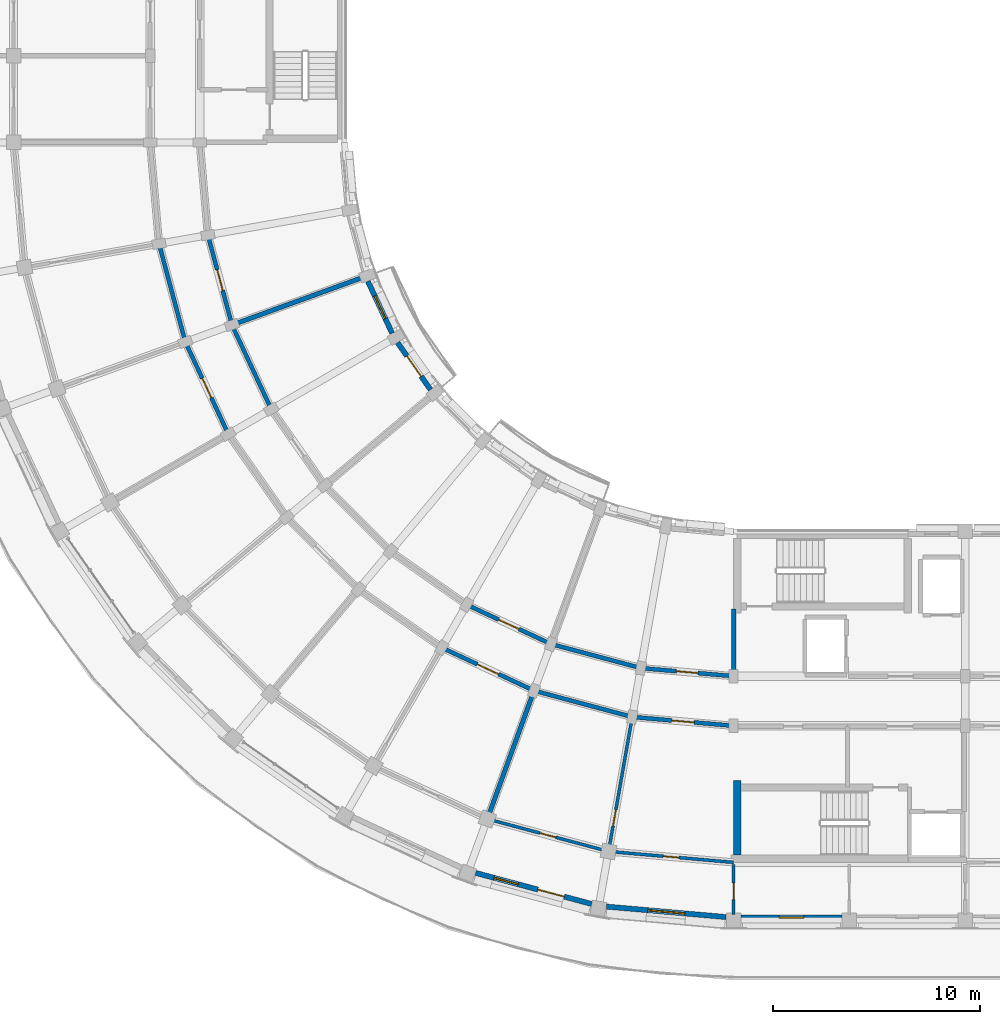
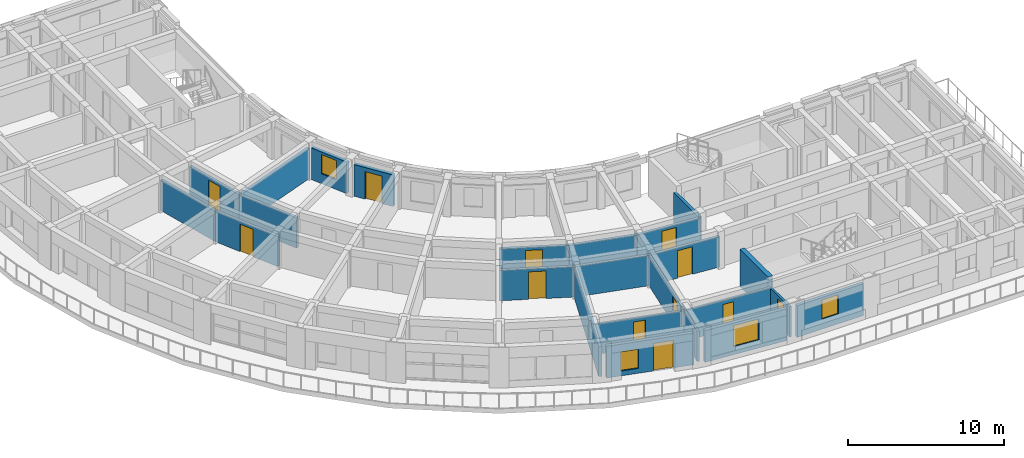
# One storey, part 17 of 54: 23 walls, 12 doors, 4 windows, 16 openings.
"""IFC4 building model written with IfcOpenShell, lengths in metres."""

from ifc_helpers import new_model, si_unit, direction, frame, frame_2d, origin, place, context, subcontext, project, spatial, rectangle, extrude, material, layer, layer_set, type_object, element, fill, save


model = new_model("IFC4")

# Units and contexts
model_context = context("Model", 3, precision=1e-05, world=origin(), true_north=direction((0.0, 1.0)))
body_context = subcontext(model_context, "Body", "Model", "MODEL_VIEW")
ifc_project = project(units=[si_unit("LENGTHUNIT", "METRE"), si_unit("AREAUNIT", "SQUARE_METRE"), si_unit("VOLUMEUNIT", "CUBIC_METRE"), si_unit("PLANEANGLEUNIT", "RADIAN"), si_unit("MASSUNIT", "GRAM", prefix="KILO")], contexts=[model_context])

# Site, building, storey
site_placement = place(None, origin())
site = spatial("IfcSite", under=ifc_project, at=site_placement, CompositionType="ELEMENT")
building_placement = place(site_placement, origin())
building = spatial("IfcBuilding", under=site, at=building_placement, Name="Kiranvali Square Residences", CompositionType="ELEMENT")
storey_placement = place(building_placement, frame((0.0, 0.0, 27.60009765625)))
storey = spatial("IfcBuildingStorey", under=building, at=storey_placement, Name="L08", CompositionType="ELEMENT", Elevation=27.60009765625)

# Wall, opening, door
ifc_material_1 = material(Name="Autoclaved aerated concrete blockwork masonry", Category="masonry")
ifc_layer_1 = layer(ifc_material_1, 0.199951171875)
ifc_layer_set_1 = layer_set([ifc_layer_1], Name="Autoclaved aerated concrete blockwork masonry")
wall_type_1 = type_object("IfcWallType", Name="WL-COR-200", PredefinedType="STANDARD", material=ifc_layer_set_1)
wall_1_placement = place(storey_placement, frame((48.199951171875, 22.39990234375, 0.0), z_axis=(0.0, 0.0, 1.0), x_axis=(-0.996191949488, 0.087187153726, 0.0)))
wall_1 = element("IfcWall", 1, at=wall_1_placement, inside=storey, type_object=wall_type_1, Name="L08 architectural wall WL-L08-C-CCI-0", PredefinedType="STANDARD", context=body_context, shape_type="SweptSolid", body=[
    extrude(rectangle(XDim=4.4970703125, YDim=0.199951171875, at=frame_2d((2.24853515625, 0.0))), origin(), (0.0, 0.0, 1.0), 2.371826171875),
])
opening_1_placement = place(wall_1_placement, frame((1.728515625, 0.0, 0.0)))
opening_1 = element("IfcOpeningElement", 2, at=opening_1_placement, cuts=wall_1, Name="Opening FD-APT-60B", PredefinedType="OPENING", context=body_context, shape_type="SweptSolid", body=[
    extrude(rectangle(XDim=1.0400390625, YDim=2.14990234375, at=frame_2d((0.52001953125, 1.074951171875))), frame((0.0, 0.10986328125, 0.0), z_axis=(0.0, -1.0, 0.0), x_axis=(1.0, 0.0, 0.0)), (0.0, 0.0, 1.0), 0.219970703125),
])
ifc_material_2 = material(Name="Fire-rated acoustic hardwood and mineral-core door assembly", Category="wood")
door_type_1 = type_object("IfcDoorType", Name="DR-APT-1040", OperationType="NOTDEFINED", PredefinedType="DOOR", material=ifc_material_2)
door_1_placement = place(opening_1_placement, origin())
door_1 = element("IfcDoor", 3, at=door_1_placement, inside=storey, type_object=door_type_1, Name="L08 door DR-L08-2241 (DR-APT-1040)", OperationType="SINGLE_SWING_LEFT", OverallHeight=2.14990234375, OverallWidth=1.0400390625, PredefinedType="DOOR", context=body_context, shape_type="SweptSolid", body=[
    extrude(rectangle(XDim=1.0400390625, YDim=2.14990234375, at=frame_2d((0.52001953125, 1.074951171875))), frame((0.0, 0.02490234375, 0.0), z_axis=(0.0, -1.0, 0.0), x_axis=(1.0, 0.0, 0.0)), (0.0, 0.0, 1.0), 0.050048828125),
])
fill(opening_1, door_1)

wall_2_placement = place(storey_placement, frame((48.199951171875, 20.0, 0.0), z_axis=(0.0, 0.0, 1.0), x_axis=(-0.996193663584, 0.087167566415, 0.0)))
wall_2 = element("IfcWall", 4, at=wall_2_placement, inside=storey, type_object=wall_type_1, Name="L08 architectural wall WL-L08-C-CCO-0", PredefinedType="STANDARD", context=body_context, shape_type="SweptSolid", body=[
    extrude(rectangle(XDim=4.91552734375, YDim=0.199951171875, at=frame_2d((2.457763671875, 0.0))), origin(), (0.0, 0.0, 1.0), 2.371826171875),
])
opening_2_placement = place(wall_2_placement, frame((1.917724609375, 0.0, 0.0)))
opening_2 = element("IfcOpeningElement", 5, at=opening_2_placement, cuts=wall_2, Name="Opening FD-APT-60C", PredefinedType="OPENING", context=body_context, shape_type="SweptSolid", body=[
    extrude(rectangle(XDim=1.080078125, YDim=2.14990234375, at=frame_2d((0.5400390625, 1.074951171875))), frame((0.0, 0.10986328125, 0.0), z_axis=(0.0, -1.0, 0.0), x_axis=(1.0, 0.0, 0.0)), (0.0, 0.0, 1.0), 0.219970703125),
])
door_type_2 = type_object("IfcDoorType", Name="DR-APT-1080", OperationType="NOTDEFINED", PredefinedType="DOOR", material=ifc_material_2)
door_2_placement = place(opening_2_placement, frame((1.080078125, 0.0, 0.0), z_axis=(0.0, 0.0, 1.0), x_axis=(-1.0, 0.0, 0.0)))
door_2 = element("IfcDoor", 6, at=door_2_placement, inside=storey, type_object=door_type_2, Name="L08 door DR-L08-2228 (DR-APT-1080)", OperationType="SINGLE_SWING_RIGHT", OverallHeight=2.14990234375, OverallWidth=1.080078125, PredefinedType="DOOR", context=body_context, shape_type="SweptSolid", body=[
    extrude(rectangle(XDim=1.080078125, YDim=2.14990234375, at=frame_2d((0.5400390625, 1.074951171875))), frame((0.0, 0.02490234375, 0.0), z_axis=(0.0, -1.0, 0.0), x_axis=(1.0, 0.0, 0.0)), (0.0, 0.0, 1.0), 0.050048828125),
])
fill(opening_2, door_2)

# Walls
wall_3_placement = place(storey_placement, frame((43.719970703125, 22.7919921875, 0.0), z_axis=(0.0, 0.0, 1.0), x_axis=(-0.965934240054, 0.258787642463, 0.0)))
element("IfcWall", 7, at=wall_3_placement, inside=storey, type_object=wall_type_1, Name="L08 architectural wall WL-L08-C-CCI-1", PredefinedType="STANDARD", context=body_context, shape_type="SweptSolid", body=[
    extrude(rectangle(XDim=4.497314453125, YDim=0.199951171875, at=frame_2d((2.24853515625, 0.0))), origin(), (0.0, 0.0, 1.0), 2.371826171875),
])
wall_4_placement = place(storey_placement, frame((43.30322265625, 20.428466796875, 0.0), z_axis=(0.0, 0.0, 1.0), x_axis=(-0.965930095386, 0.258803112091, 0.0)))
element("IfcWall", 8, at=wall_4_placement, inside=storey, type_object=wall_type_1, Name="L08 architectural wall WL-L08-C-CCO-1", PredefinedType="STANDARD", context=body_context, shape_type="SweptSolid", body=[
    extrude(rectangle(XDim=4.915771484375, YDim=0.199951171875, at=frame_2d((2.4580078125, 0.0))), origin(), (0.0, 0.0, 1.0), 2.371826171875),
])

# Wall, opening, door
wall_5_placement = place(storey_placement, frame((39.3759765625, 23.955810546875, 0.0), z_axis=(0.0, 0.0, 1.0), x_axis=(-0.906307919131, 0.422617978463, 0.0)))
wall_5 = element("IfcWall", 9, at=wall_5_placement, inside=storey, type_object=wall_type_1, Name="L08 architectural wall WL-L08-C-CCI-2", PredefinedType="STANDARD", context=body_context, shape_type="SweptSolid", body=[
    extrude(rectangle(XDim=4.497314453125, YDim=0.199951171875, at=frame_2d((2.24853515625, 0.0))), origin(), (0.0, 0.0, 1.0), 2.371826171875),
])
opening_3_placement = place(wall_5_placement, frame((1.708740234375, 0.0, 0.0)))
opening_3 = element("IfcOpeningElement", 10, at=opening_3_placement, cuts=wall_5, Name="Opening FD-APT-60C", PredefinedType="OPENING", context=body_context, shape_type="SweptSolid", body=[
    extrude(rectangle(XDim=1.080078125, YDim=2.14990234375, at=frame_2d((0.5400390625, 1.074951171875))), frame((0.0, 0.10986328125, 0.0), z_axis=(0.0, -1.0, 0.0), x_axis=(1.0, 0.0, 0.0)), (0.0, 0.0, 1.0), 0.219970703125),
])
door_3_placement = place(opening_3_placement, frame((1.080078125, 0.0, 0.0), z_axis=(0.0, 0.0, 1.0), x_axis=(-1.0, 0.0, 0.0)))
door_3 = element("IfcDoor", 11, at=door_3_placement, inside=storey, type_object=door_type_2, Name="L08 door DR-L08-2242 (DR-APT-1080)", OperationType="SINGLE_SWING_RIGHT", OverallHeight=2.14990234375, OverallWidth=1.080078125, PredefinedType="DOOR", context=body_context, shape_type="SweptSolid", body=[
    extrude(rectangle(XDim=1.080078125, YDim=2.14990234375, at=frame_2d((0.5400390625, 1.074951171875))), frame((0.0, 0.02490234375, 0.0), z_axis=(0.0, -1.0, 0.0), x_axis=(1.0, 0.0, 0.0)), (0.0, 0.0, 1.0), 0.050048828125),
])
fill(opening_3, door_3)

wall_6_placement = place(storey_placement, frame((38.554931640625, 21.70068359375, 0.0), z_axis=(0.0, 0.0, 1.0), x_axis=(-0.906302381024, 0.422629854778, 0.0)))
wall_6 = element("IfcWall", 12, at=wall_6_placement, inside=storey, type_object=wall_type_1, Name="L08 architectural wall WL-L08-C-CCO-2", PredefinedType="STANDARD", context=body_context, shape_type="SweptSolid", body=[
    extrude(rectangle(XDim=4.915283203125, YDim=0.199951171875, at=frame_2d((2.45751953125, 0.0))), origin(), (0.0, 0.0, 1.0), 2.371826171875),
])
opening_4_placement = place(wall_6_placement, frame((1.8876953125, 0.0, 0.0)))
opening_4 = element("IfcOpeningElement", 13, at=opening_4_placement, cuts=wall_6, Name="Opening FD-APT-60D", PredefinedType="OPENING", context=body_context, shape_type="SweptSolid", body=[
    extrude(rectangle(XDim=1.139892578125, YDim=2.14990234375, at=frame_2d((0.56982421875, 1.074951171875))), frame((0.0, 0.10986328125, 0.0), z_axis=(0.0, -1.0, 0.0), x_axis=(1.0, 0.0, 0.0)), (0.0, 0.0, 1.0), 0.219970703125),
])
door_type_3 = type_object("IfcDoorType", Name="DR-APT-1140", OperationType="NOTDEFINED", PredefinedType="DOOR", material=ifc_material_2)
door_4_placement = place(opening_4_placement, origin())
door_4 = element("IfcDoor", 14, at=door_4_placement, inside=storey, type_object=door_type_3, Name="L08 door DR-L08-2231 (DR-APT-1140)", OperationType="SINGLE_SWING_LEFT", OverallHeight=2.14990234375, OverallWidth=1.139892578125, PredefinedType="DOOR", context=body_context, shape_type="SweptSolid", body=[
    extrude(rectangle(XDim=1.139892578125, YDim=2.14990234375, at=frame_2d((0.56982421875, 1.074951171875))), frame((0.0, 0.02490234375, 0.0), z_axis=(0.0, -1.0, 0.0), x_axis=(1.0, 0.0, 0.0)), (0.0, 0.0, 1.0), 0.050048828125),
])
fill(opening_4, door_4)

# Wall
wall_7_placement = place(storey_placement, frame((25.8564453125, 35.300048828125, 0.0), z_axis=(0.0, 0.0, 1.0), x_axis=(-0.422617978463, 0.906307919131, 0.0)))
element("IfcWall", 15, at=wall_7_placement, inside=storey, type_object=wall_type_1, Name="L08 architectural wall WL-L08-C-CCI-6", PredefinedType="STANDARD", context=body_context, shape_type="SweptSolid", body=[
    extrude(rectangle(XDim=4.497314453125, YDim=0.199951171875, at=frame_2d((2.24853515625, 0.0))), origin(), (0.0, 0.0, 1.0), 2.371826171875),
])

# Wall, opening, door
wall_8_placement = place(storey_placement, frame((23.778076171875, 34.10009765625, 0.0), z_axis=(0.0, 0.0, 1.0), x_axis=(-0.422629854778, 0.906302381024, 0.0)))
wall_8 = element("IfcWall", 16, at=wall_8_placement, inside=storey, type_object=wall_type_1, Name="L08 architectural wall WL-L08-C-CCO-6", PredefinedType="STANDARD", context=body_context, shape_type="SweptSolid", body=[
    extrude(rectangle(XDim=4.915283203125, YDim=0.199951171875, at=frame_2d((2.45751953125, 0.0))), origin(), (0.0, 0.0, 1.0), 2.371826171875),
])
opening_5_placement = place(wall_8_placement, frame((1.937744140625, 0.0, 0.0)))
opening_5 = element("IfcOpeningElement", 17, at=opening_5_placement, cuts=wall_8, Name="Opening FD-APT-60B", PredefinedType="OPENING", context=body_context, shape_type="SweptSolid", body=[
    extrude(rectangle(XDim=1.0400390625, YDim=2.14990234375, at=frame_2d((0.52001953125, 1.074951171875))), frame((0.0, 0.10986328125, 0.0), z_axis=(0.0, -1.0, 0.0), x_axis=(1.0, 0.0, 0.0)), (0.0, 0.0, 1.0), 0.219970703125),
])
door_5_placement = place(opening_5_placement, origin())
door_5 = element("IfcDoor", 18, at=door_5_placement, inside=storey, type_object=door_type_1, Name="L08 door DR-L08-2237 (DR-APT-1040)", OperationType="SINGLE_SWING_LEFT", OverallHeight=2.14990234375, OverallWidth=1.0400390625, PredefinedType="DOOR", context=body_context, shape_type="SweptSolid", body=[
    extrude(rectangle(XDim=1.0400390625, YDim=2.14990234375, at=frame_2d((0.52001953125, 1.074951171875))), frame((0.0, 0.02490234375, 0.0), z_axis=(0.0, -1.0, 0.0), x_axis=(1.0, 0.0, 0.0)), (0.0, 0.0, 1.0), 0.050048828125),
])
fill(opening_5, door_5)

wall_9_placement = place(storey_placement, frame((23.955810546875, 39.3759765625, 0.0), z_axis=(0.0, 0.0, 1.0), x_axis=(-0.258787642463, 0.965934240054, 0.0)))
wall_9 = element("IfcWall", 19, at=wall_9_placement, inside=storey, type_object=wall_type_1, Name="L08 architectural wall WL-L08-C-CCI-7", PredefinedType="STANDARD", context=body_context, shape_type="SweptSolid", body=[
    extrude(rectangle(XDim=4.497314453125, YDim=0.199951171875, at=frame_2d((2.24853515625, 0.0))), origin(), (0.0, 0.0, 1.0), 2.371826171875),
])
opening_6_placement = place(wall_9_placement, frame((1.728515625, 0.0, 0.0)))
opening_6 = element("IfcOpeningElement", 20, at=opening_6_placement, cuts=wall_9, Name="Opening FD-APT-60B", PredefinedType="OPENING", context=body_context, shape_type="SweptSolid", body=[
    extrude(rectangle(XDim=1.0400390625, YDim=2.14990234375, at=frame_2d((0.52001953125, 1.074951171875))), frame((0.0, 0.10986328125, 0.0), z_axis=(0.0, -1.0, 0.0), x_axis=(1.0, 0.0, 0.0)), (0.0, 0.0, 1.0), 0.219970703125),
])
door_6_placement = place(opening_6_placement, frame((1.0400390625, 0.0, 0.0), z_axis=(0.0, 0.0, 1.0), x_axis=(-1.0, 0.0, 0.0)))
door_6 = element("IfcDoor", 21, at=door_6_placement, inside=storey, type_object=door_type_1, Name="L08 door DR-L08-2244 (DR-APT-1040)", OperationType="SINGLE_SWING_RIGHT", OverallHeight=2.14990234375, OverallWidth=1.0400390625, PredefinedType="DOOR", context=body_context, shape_type="SweptSolid", body=[
    extrude(rectangle(XDim=1.0400390625, YDim=2.14990234375, at=frame_2d((0.52001953125, 1.074951171875))), frame((0.0, 0.02490234375, 0.0), z_axis=(0.0, -1.0, 0.0), x_axis=(1.0, 0.0, 0.0)), (0.0, 0.0, 1.0), 0.050048828125),
])
fill(opening_6, door_6)

# Walls
wall_10_placement = place(storey_placement, frame((21.70068359375, 38.554931640625, 0.0), z_axis=(0.0, 0.0, 1.0), x_axis=(-0.258803112091, 0.965930095386, 0.0)))
element("IfcWall", 22, at=wall_10_placement, inside=storey, type_object=wall_type_1, Name="L08 architectural wall WL-L08-C-CCO-7", PredefinedType="STANDARD", context=body_context, shape_type="SweptSolid", body=[
    extrude(rectangle(XDim=4.915771484375, YDim=0.199951171875, at=frame_2d((2.4580078125, 0.0))), origin(), (0.0, 0.0, 1.0), 2.371826171875),
])
ifc_layer_2 = layer(ifc_material_1, 0.219970703125)
ifc_layer_set_2 = layer_set([ifc_layer_2], Name="Autoclaved aerated concrete blockwork masonry")
wall_type_2 = type_object("IfcWallType", Name="WL-DEM-220", PredefinedType="STANDARD", material=ifc_layer_set_2)
wall_11_placement = place(storey_placement, frame((48.199951171875, 25.64990234375, 0.0), z_axis=(0.0, 0.0, 1.0), x_axis=(0.0, -1.0, 0.0)))
element("IfcWall", 23, at=wall_11_placement, inside=storey, type_object=wall_type_2, Name="L08 architectural wall WL-L08-C-RADI-0", PredefinedType="STANDARD", context=body_context, shape_type="SweptSolid", body=[
    extrude(rectangle(XDim=3.199951171875, YDim=0.219970703125, at=frame_2d((1.60009765625, 0.0))), origin(), (0.0, 0.0, 1.0), 2.371826171875),
])
wall_12_placement = place(storey_placement, frame((38.520751953125, 21.606689453125, 0.0), z_axis=(0.0, 0.0, 1.0), x_axis=(-0.342012528828, -0.939695392201, 0.0)))
element("IfcWall", 24, at=wall_12_placement, inside=storey, type_object=wall_type_2, Name="L08 architectural wall WL-L08-C-RADO-2", PredefinedType="STANDARD", context=body_context, shape_type="SweptSolid", body=[
    extrude(rectangle(XDim=9.02001953125, YDim=0.219970703125, at=frame_2d((4.510009765625, 0.0))), origin(), (0.0, 0.0, 1.0), 2.371826171875),
])
wall_13_placement = place(storey_placement, frame((30.345947265625, 41.70166015625, 0.0), z_axis=(0.0, 0.0, 1.0), x_axis=(-0.939696231917, -0.342010221662, 0.0)))
element("IfcWall", 25, at=wall_13_placement, inside=storey, type_object=wall_type_2, Name="L08 architectural wall WL-L08-C-RADI-7", PredefinedType="STANDARD", context=body_context, shape_type="SweptSolid", body=[
    extrude(rectangle(XDim=6.75, YDim=0.219970703125, at=frame_2d((3.375, 0.0))), origin(), (0.0, 0.0, 1.0), 2.371826171875),
])

# Wall, opening, window
ifc_material_3 = material(Name="Breathable lime-rendered clay brick masonry", Category="masonry")
ifc_layer_3 = layer(ifc_material_3, 0.25)
ifc_layer_set_3 = layer_set([ifc_layer_3], Name="Breathable lime-rendered clay brick masonry")
wall_type_3 = type_object("IfcWallType", Name="WL-EXT-250", PredefinedType="STANDARD", material=ifc_layer_set_3)
wall_14_placement = place(storey_placement, frame((47.83642578125, 10.75732421875, 0.0), z_axis=(0.0, 0.0, 1.0), x_axis=(-0.996196092027, 0.087139808523, 0.0)))
wall_14 = element("IfcWall", 26, at=wall_14_placement, inside=storey, type_object=wall_type_3, Name="L08 exterior wall C-L08-CRV-00", PredefinedType="STANDARD", context=body_context, shape_type="SweptSolid", body=[
    extrude(rectangle(XDim=5.80224609375, YDim=0.25, at=frame_2d((2.901123046875, 0.0))), origin(), (0.0, 0.0, 1.0), 2.47998046875),
])
opening_7_placement = place(wall_14_placement, frame((2.001220703125, 0.0, 0.6298828125)))
opening_7 = element("IfcOpeningElement", 27, at=opening_7_placement, cuts=wall_14, Name="Opening W-04", PredefinedType="OPENING", context=body_context, shape_type="SweptSolid", body=[
    extrude(rectangle(XDim=1.800048828125, YDim=1.64990234375, at=frame_2d((0.89990234375, 0.824951171875))), frame((0.0, 0.135009765625, 0.0), z_axis=(0.0, -1.0, 0.0), x_axis=(1.0, 0.0, 0.0)), (0.0, 0.0, 1.0), 0.27001953125),
])
ifc_material_4 = material(Name="Solar-control low-e double glazing", Category="glass")
window_type_1 = type_object("IfcWindowType", Name="WIN-RES-1800x1650", PartitioningType="DOUBLE_PANEL_VERTICAL", PredefinedType="WINDOW", material=ifc_material_4)
window_1_placement = place(opening_7_placement, origin())
window_1 = element("IfcWindow", 28, at=window_1_placement, inside=storey, type_object=window_type_1, Name="L08 recessed window C-L08-CRV-00", OverallHeight=1.64990234375, OverallWidth=1.800048828125, PartitioningType="DOUBLE_PANEL_VERTICAL", PredefinedType="WINDOW", context=body_context, shape_type="SweptSolid", body=[
    extrude(rectangle(XDim=1.800048828125, YDim=1.64990234375, at=frame_2d((0.89990234375, 0.824951171875))), frame((0.0, 0.030029296875, 0.0), z_axis=(0.0, -1.0, 0.0), x_axis=(1.0, 0.0, 0.0)), (0.0, 0.0, 1.0), 0.06005859375),
])
fill(opening_7, window_1)

# Wall, openings, door, window
wall_15_placement = place(storey_placement, frame((41.340087890625, 11.38916015625, 0.0), z_axis=(0.0, 0.0, 1.0), x_axis=(-0.965918563855, 0.258846147355, 0.0)))
wall_15 = element("IfcWall", 29, at=wall_15_placement, inside=storey, type_object=wall_type_3, Name="L08 exterior wall C-L08-CRV-01", PredefinedType="STANDARD", context=body_context, shape_type="SweptSolid", body=[
    extrude(rectangle(XDim=5.802490234375, YDim=0.25, at=frame_2d((2.9013671875, 0.0))), origin(), (0.0, 0.0, 1.0), 2.47998046875),
])
opening_8_placement = place(wall_15_placement, frame((3.68212890625, 0.0, 0.3798828125)))
opening_8 = element("IfcOpeningElement", 30, at=opening_8_placement, cuts=wall_15, Name="Opening W-06", PredefinedType="OPENING", context=body_context, shape_type="SweptSolid", body=[
    extrude(rectangle(XDim=1.199951171875, YDim=1.5, at=frame_2d((0.60009765625, 0.75))), frame((0.0, 0.135009765625, 0.0), z_axis=(0.0, -1.0, 0.0), x_axis=(1.0, 0.0, 0.0)), (0.0, 0.0, 1.0), 0.27001953125),
])
opening_9_placement = place(wall_15_placement, frame((1.370849609375, 0.0, 0.0)))
opening_9 = element("IfcOpeningElement", 31, at=opening_9_placement, cuts=wall_15, Name="Opening ED-BAL-3", PredefinedType="OPENING", context=body_context, shape_type="SweptSolid", body=[
    extrude(rectangle(XDim=1.320068359375, YDim=2.14990234375, at=frame_2d((0.66015625, 1.074951171875))), frame((0.0, 0.135009765625, 0.0), z_axis=(0.0, -1.0, 0.0), x_axis=(1.0, 0.0, 0.0)), (0.0, 0.0, 1.0), 0.27001953125),
])
ifc_material_5 = material(Name="Anodised bronze aluminium framing", Category="aluminium")
door_type_4 = type_object("IfcDoorType", Name="DR-BAL-1320", OperationType="NOTDEFINED", PredefinedType="DOOR", material=ifc_material_5)
door_7_placement = place(opening_9_placement, origin())
door_7 = element("IfcDoor", 32, at=door_7_placement, inside=storey, type_object=door_type_4, Name="L08 balcony terrace door", OperationType="SINGLE_SWING_RIGHT", OverallHeight=2.14990234375, OverallWidth=1.320068359375, PredefinedType="DOOR", context=body_context, shape_type="SweptSolid", body=[
    extrude(rectangle(XDim=1.320068359375, YDim=2.14990234375, at=frame_2d((0.66015625, 1.074951171875))), frame((0.0, 0.02490234375, 0.0), z_axis=(0.0, -1.0, 0.0), x_axis=(1.0, 0.0, 0.0)), (0.0, 0.0, 1.0), 0.050048828125),
])
fill(opening_9, door_7)
window_type_2 = type_object("IfcWindowType", Name="WIN-RES-1200x1500", PartitioningType="SINGLE_PANEL", PredefinedType="WINDOW", material=ifc_material_4)
window_2_placement = place(opening_8_placement, origin())
window_2 = element("IfcWindow", 33, at=window_2_placement, inside=storey, type_object=window_type_2, Name="L08 recessed window C-L08-CRV-01", OverallHeight=1.5, OverallWidth=1.199951171875, PartitioningType="SINGLE_PANEL", PredefinedType="WINDOW", context=body_context, shape_type="SweptSolid", body=[
    extrude(rectangle(XDim=1.199951171875, YDim=1.5, at=frame_2d((0.60009765625, 0.75))), frame((0.0, 0.030029296875, 0.0), z_axis=(0.0, -1.0, 0.0), x_axis=(1.0, 0.0, 0.0)), (0.0, 0.0, 1.0), 0.06005859375),
])
fill(opening_8, window_2)

# Wall, opening, door
wall_16_placement = place(storey_placement, frame((33.550537109375, 36.251708984375, 0.0), z_axis=(0.0, 0.0, 1.0), x_axis=(-0.573633885053, 0.819111815273, 0.0)))
wall_16 = element("IfcWall", 34, at=wall_16_placement, inside=storey, type_object=wall_type_3, Name="L08 exterior wall C-L08-GDN-05", PredefinedType="STANDARD", context=body_context, shape_type="SweptSolid", body=[
    extrude(rectangle(XDim=2.769775390625, YDim=0.25, at=frame_2d((1.384765625, 0.0))), origin(), (0.0, 0.0, 1.0), 2.471923828125),
])
opening_10_placement = place(wall_16_placement, frame((0.784912109375, 0.0, 0.0)))
opening_10 = element("IfcOpeningElement", 35, at=opening_10_placement, cuts=wall_16, Name="Opening ED-BAL-1", PredefinedType="OPENING", context=body_context, shape_type="SweptSolid", body=[
    extrude(rectangle(XDim=1.199951171875, YDim=2.14990234375, at=frame_2d((0.60009765625, 1.074951171875))), frame((0.0, 0.135009765625, 0.0), z_axis=(0.0, -1.0, 0.0), x_axis=(1.0, 0.0, 0.0)), (0.0, 0.0, 1.0), 0.27001953125),
])
door_type_5 = type_object("IfcDoorType", Name="DR-BAL-1200", OperationType="NOTDEFINED", PredefinedType="DOOR", material=ifc_material_5)
door_8_placement = place(opening_10_placement, frame((1.199951171875, 0.0, 0.0), z_axis=(0.0, 0.0, 1.0), x_axis=(-1.0, 0.0, 0.0)))
door_8 = element("IfcDoor", 36, at=door_8_placement, inside=storey, type_object=door_type_5, Name="L08 balcony terrace door", OperationType="SINGLE_SWING_RIGHT", OverallHeight=2.14990234375, OverallWidth=1.199951171875, PredefinedType="DOOR", context=body_context, shape_type="SweptSolid", body=[
    extrude(rectangle(XDim=1.199951171875, YDim=2.14990234375, at=frame_2d((0.60009765625, 1.074951171875))), frame((0.0, 0.02490234375, 0.0), z_axis=(0.0, -1.0, 0.0), x_axis=(1.0, 0.0, 0.0)), (0.0, 0.0, 1.0), 0.050048828125),
])
fill(opening_10, door_8)

# Wall, opening, window
wall_17_placement = place(storey_placement, frame((31.6982421875, 38.97705078125, 0.0), z_axis=(0.0, 0.0, 1.0), x_axis=(-0.422649007088, 0.906293449611, 0.0)))
wall_17 = element("IfcWall", 37, at=wall_17_placement, inside=storey, type_object=wall_type_3, Name="L08 exterior wall C-L08-GDN-06", PredefinedType="STANDARD", context=body_context, shape_type="SweptSolid", body=[
    extrude(rectangle(XDim=2.769775390625, YDim=0.25, at=frame_2d((1.384765625, 0.0))), origin(), (0.0, 0.0, 1.0), 2.471923828125),
])
opening_11_placement = place(wall_17_placement, frame((0.784912109375, 0.0, 0.77197265625)))
opening_11 = element("IfcOpeningElement", 38, at=opening_11_placement, cuts=wall_17, Name="Opening W-06", PredefinedType="OPENING", context=body_context, shape_type="SweptSolid", body=[
    extrude(rectangle(XDim=1.199951171875, YDim=1.5, at=frame_2d((0.60009765625, 0.75))), frame((0.0, 0.135009765625, 0.0), z_axis=(0.0, -1.0, 0.0), x_axis=(1.0, 0.0, 0.0)), (0.0, 0.0, 1.0), 0.27001953125),
])
window_3_placement = place(opening_11_placement, origin())
window_3 = element("IfcWindow", 39, at=window_3_placement, inside=storey, type_object=window_type_2, Name="L08 recessed window C-L08-GDN-06", OverallHeight=1.5, OverallWidth=1.199951171875, PartitioningType="SINGLE_PANEL", PredefinedType="WINDOW", context=body_context, shape_type="SweptSolid", body=[
    extrude(rectangle(XDim=1.199951171875, YDim=1.5, at=frame_2d((0.60009765625, 0.75))), frame((0.0, 0.030029296875, 0.0), z_axis=(0.0, -1.0, 0.0), x_axis=(1.0, 0.0, 0.0)), (0.0, 0.0, 1.0), 0.06005859375),
])
fill(opening_11, window_3)

wall_18_placement = place(storey_placement, frame((48.553466796875, 10.72509765625, 0.0), z_axis=(0.0, 0.0, 1.0), x_axis=(1.0, 0.0, 0.0)))
wall_18 = element("IfcWall", 40, at=wall_18_placement, inside=storey, type_object=wall_type_3, Name="L08 exterior wall C-L08-A1O-0", PredefinedType="STANDARD", context=body_context, shape_type="SweptSolid", body=[
    extrude(rectangle(XDim=4.89306640625, YDim=0.25, at=frame_2d((2.446533203125, 0.0))), origin(), (0.0, 0.0, 1.0), 2.47998046875),
])
opening_12_placement = place(wall_18_placement, frame((1.846435546875, 0.0, 0.780029296875)))
opening_12 = element("IfcOpeningElement", 41, at=opening_12_placement, cuts=wall_18, Name="Opening W-06", PredefinedType="OPENING", context=body_context, shape_type="SweptSolid", body=[
    extrude(rectangle(XDim=1.199951171875, YDim=1.5, at=frame_2d((0.60009765625, 0.75))), frame((0.0, 0.135009765625, 0.0), z_axis=(0.0, -1.0, 0.0), x_axis=(1.0, 0.0, 0.0)), (0.0, 0.0, 1.0), 0.27001953125),
])
window_4_placement = place(opening_12_placement, origin())
window_4 = element("IfcWindow", 42, at=window_4_placement, inside=storey, type_object=window_type_2, Name="L08 recessed window C-L08-A1O-0", OverallHeight=1.5, OverallWidth=1.199951171875, PartitioningType="SINGLE_PANEL", PredefinedType="WINDOW", context=body_context, shape_type="SweptSolid", body=[
    extrude(rectangle(XDim=1.199951171875, YDim=1.5, at=frame_2d((0.60009765625, 0.75))), frame((0.0, 0.030029296875, 0.0), z_axis=(0.0, -1.0, 0.0), x_axis=(1.0, 0.0, 0.0)), (0.0, 0.0, 1.0), 0.06005859375),
])
fill(opening_12, window_4)

# Wall, opening, door
ifc_material_6 = material(Name="Acoustic gypsum board drylined partition", Category="gypsum")
ifc_layer_4 = layer(ifc_material_6, 0.14990234375)
ifc_layer_set_4 = layer_set([ifc_layer_4], Name="Acoustic gypsum board drylined partition")
wall_type_4 = type_object("IfcWallType", Name="WL-PRT-150", PredefinedType="PARTITIONING", material=ifc_layer_set_4)
wall_19_placement = place(storey_placement, frame((48.199951171875, 13.300048828125, 0.0), z_axis=(0.0, 0.0, 1.0), x_axis=(0.0, -1.0, 0.0)))
wall_19 = element("IfcWall", 43, at=wall_19_placement, inside=storey, type_object=wall_type_4, Name="L08 architectural wall WL-L08-C-RADO-0", PredefinedType="PARTITIONING", context=body_context, shape_type="SweptSolid", body=[
    extrude(rectangle(XDim=2.420166015625, YDim=0.14990234375, at=frame_2d((1.2099609375, 0.0))), origin(), (0.0, 0.0, 1.0), 2.371826171875),
])
opening_13_placement = place(wall_19_placement, frame((0.89990234375, 0.0, 0.0)))
opening_13 = element("IfcOpeningElement", 44, at=opening_13_placement, cuts=wall_19, Name="Opening ID-WET", PredefinedType="OPENING", context=body_context, shape_type="SweptSolid", body=[
    extrude(rectangle(XDim=0.800048828125, YDim=2.10009765625, at=frame_2d((0.39990234375, 1.050048828125))), frame((0.0, 0.0849609375, 0.0), z_axis=(0.0, -1.0, 0.0), x_axis=(1.0, 0.0, 0.0)), (0.0, 0.0, 1.0), 0.169921875),
])
ifc_material_7 = material(Name="Solid seasoned teak hardwood joinery", Category="wood")
door_type_6 = type_object("IfcDoorType", Name="DR-WET-800", OperationType="NOTDEFINED", PredefinedType="DOOR", material=ifc_material_7)
door_9_placement = place(opening_13_placement, frame((0.800048828125, 0.0, 0.0), z_axis=(0.0, 0.0, 1.0), x_axis=(-1.0, 0.0, 0.0)))
door_9 = element("IfcDoor", 45, at=door_9_placement, inside=storey, type_object=door_type_6, Name="L08 door DR-L08-2222 (DR-WET-800)", OperationType="SINGLE_SWING_RIGHT", OverallHeight=2.10009765625, OverallWidth=0.800048828125, PredefinedType="DOOR", context=body_context, shape_type="SweptSolid", body=[
    extrude(rectangle(XDim=0.800048828125, YDim=2.10009765625, at=frame_2d((0.39990234375, 1.050048828125))), frame((0.0, 0.02490234375, 0.0), z_axis=(0.0, -1.0, 0.0), x_axis=(1.0, 0.0, 0.0)), (0.0, 0.0, 1.0), 0.050048828125),
])
fill(opening_13, door_9)

wall_20_placement = place(storey_placement, frame((43.28564453125, 20.329833984375, 0.0), z_axis=(0.0, 0.0, 1.0), x_axis=(-0.173635554464, -0.98480997874, 0.0)))
wall_20 = element("IfcWall", 46, at=wall_20_placement, inside=storey, type_object=wall_type_4, Name="L08 architectural wall WL-L08-C-RADO-1", PredefinedType="PARTITIONING", context=body_context, shape_type="SweptSolid", body=[
    extrude(rectangle(XDim=9.019775390625, YDim=0.14990234375, at=frame_2d((4.509765625, 0.0))), origin(), (0.0, 0.0, 1.0), 2.371826171875),
])
opening_14_placement = place(wall_20_placement, frame((4.449951171875, 0.0, 0.0)))
opening_14 = element("IfcOpeningElement", 47, at=opening_14_placement, cuts=wall_20, Name="Opening ID-WET", PredefinedType="OPENING", context=body_context, shape_type="SweptSolid", body=[
    extrude(rectangle(XDim=0.800048828125, YDim=2.10009765625, at=frame_2d((0.39990234375, 1.050048828125))), frame((0.0, 0.0849609375, 0.0), z_axis=(0.0, -1.0, 0.0), x_axis=(1.0, 0.0, 0.0)), (0.0, 0.0, 1.0), 0.169921875),
])
door_10_placement = place(opening_14_placement, origin())
door_10 = element("IfcDoor", 48, at=door_10_placement, inside=storey, type_object=door_type_6, Name="L08 door DR-L08-2223 (DR-WET-800)", OperationType="SINGLE_SWING_LEFT", OverallHeight=2.10009765625, OverallWidth=0.800048828125, PredefinedType="DOOR", context=body_context, shape_type="SweptSolid", body=[
    extrude(rectangle(XDim=0.800048828125, YDim=2.10009765625, at=frame_2d((0.39990234375, 1.050048828125))), frame((0.0, 0.02490234375, 0.0), z_axis=(0.0, -1.0, 0.0), x_axis=(1.0, 0.0, 0.0)), (0.0, 0.0, 1.0), 0.050048828125),
])
fill(opening_14, door_10)

# Wall
ifc_material_8 = material(Name="Concrete M45 (45 MPa)", Category="concrete")
ifc_layer_5 = layer(ifc_material_8, 0.320068359375)
ifc_layer_set_5 = layer_set([ifc_layer_5], Name="Concrete M45 (45 MPa)")
wall_type_5 = type_object("IfcWallType", Name="WL-SHR-320", PredefinedType="SHEAR", material=ifc_layer_set_5)
wall_21_placement = place(storey_placement, frame((48.375, 17.35009765625, 0.0), z_axis=(0.0, 0.0, 1.0), x_axis=(0.0, -1.0, 0.0)))
element("IfcWall", 49, at=wall_21_placement, inside=storey, type_object=wall_type_5, Name="Block C core shear wall SW-C1-FAR-L08", PredefinedType="SHEAR", context=body_context, shape_type="SweptSolid", body=[
    extrude(rectangle(XDim=3.60009765625, YDim=0.35009765625, at=frame_2d((1.800048828125, 0.0))), origin(), (0.0, 0.0, 1.0), 2.929931640625),
])

# Wall, opening, door
ifc_layer_6 = layer(ifc_material_1, 0.14990234375)
ifc_layer_set_6 = layer_set([ifc_layer_6], Name="Autoclaved aerated concrete blockwork masonry")
wall_type_6 = type_object("IfcWallType", Name="WL-WET-150", PredefinedType="PLUMBINGWALL", material=ifc_layer_set_6)
wall_22_placement = place(storey_placement, frame((48.199951171875, 13.39990234375, 0.0), z_axis=(0.0, 0.0, 1.0), x_axis=(-0.996193018494, 0.087174938512, 0.0)))
wall_22 = element("IfcWall", 50, at=wall_22_placement, inside=storey, type_object=wall_type_6, Name="L08 architectural wall WL-L08-C-CWET-0", PredefinedType="PLUMBINGWALL", context=body_context, shape_type="SweptSolid", body=[
    extrude(rectangle(XDim=6.066162109375, YDim=0.14990234375, at=frame_2d((3.033203125, 0.0))), origin(), (0.0, 0.0, 1.0), 2.371826171875),
])
opening_15_placement = place(wall_22_placement, frame((2.653076171875, 0.0, 0.0)))
opening_15 = element("IfcOpeningElement", 51, at=opening_15_placement, cuts=wall_22, Name="Opening ID-WET0", PredefinedType="OPENING", context=body_context, shape_type="SweptSolid", body=[
    extrude(rectangle(XDim=0.760009765625, YDim=2.050048828125, at=frame_2d((0.3798828125, 1.02490234375))), frame((0.0, 0.0849609375, 0.0), z_axis=(0.0, -1.0, 0.0), x_axis=(1.0, 0.0, 0.0)), (0.0, 0.0, 1.0), 0.169921875),
])
door_type_7 = type_object("IfcDoorType", Name="DR-WET-760", OperationType="NOTDEFINED", PredefinedType="DOOR", material=ifc_material_7)
door_11_placement = place(opening_15_placement, origin())
door_11 = element("IfcDoor", 52, at=door_11_placement, inside=storey, type_object=door_type_7, Name="L08 door DR-L08-2229 (DR-WET-760)", OperationType="SINGLE_SWING_LEFT", OverallHeight=2.050048828125, OverallWidth=0.760009765625, PredefinedType="DOOR", context=body_context, shape_type="SweptSolid", body=[
    extrude(rectangle(XDim=0.760009765625, YDim=2.050048828125, at=frame_2d((0.3798828125, 1.02490234375))), frame((0.0, 0.02490234375, 0.0), z_axis=(0.0, -1.0, 0.0), x_axis=(1.0, 0.0, 0.0)), (0.0, 0.0, 1.0), 0.050048828125),
])
fill(opening_15, door_11)

wall_23_placement = place(storey_placement, frame((42.156982421875, 13.9287109375, 0.0), z_axis=(0.0, 0.0, 1.0), x_axis=(-0.965923618901, 0.258827283048, 0.0)))
wall_23 = element("IfcWall", 53, at=wall_23_placement, inside=storey, type_object=wall_type_6, Name="L08 architectural wall WL-L08-C-CWET-1", PredefinedType="PLUMBINGWALL", context=body_context, shape_type="SweptSolid", body=[
    extrude(rectangle(XDim=6.066162109375, YDim=0.14990234375, at=frame_2d((3.033203125, 0.0))), origin(), (0.0, 0.0, 1.0), 2.371826171875),
])
opening_16_placement = place(wall_23_placement, frame((2.633056640625, 0.0, 0.0)))
opening_16 = element("IfcOpeningElement", 54, at=opening_16_placement, cuts=wall_23, Name="Opening ID-WET", PredefinedType="OPENING", context=body_context, shape_type="SweptSolid", body=[
    extrude(rectangle(XDim=0.800048828125, YDim=2.10009765625, at=frame_2d((0.39990234375, 1.050048828125))), frame((0.0, 0.0849609375, 0.0), z_axis=(0.0, -1.0, 0.0), x_axis=(1.0, 0.0, 0.0)), (0.0, 0.0, 1.0), 0.169921875),
])
door_12_placement = place(opening_16_placement, frame((0.800048828125, 0.0, 0.0), z_axis=(0.0, 0.0, 1.0), x_axis=(-1.0, 0.0, 0.0)))
door_12 = element("IfcDoor", 55, at=door_12_placement, inside=storey, type_object=door_type_6, Name="L08 door DR-L08-2230 (DR-WET-800)", OperationType="SINGLE_SWING_RIGHT", OverallHeight=2.10009765625, OverallWidth=0.800048828125, PredefinedType="DOOR", context=body_context, shape_type="SweptSolid", body=[
    extrude(rectangle(XDim=0.800048828125, YDim=2.10009765625, at=frame_2d((0.39990234375, 1.050048828125))), frame((0.0, 0.02490234375, 0.0), z_axis=(0.0, -1.0, 0.0), x_axis=(1.0, 0.0, 0.0)), (0.0, 0.0, 1.0), 0.050048828125),
])
fill(opening_16, door_12)

save(model, "model.ifc")
